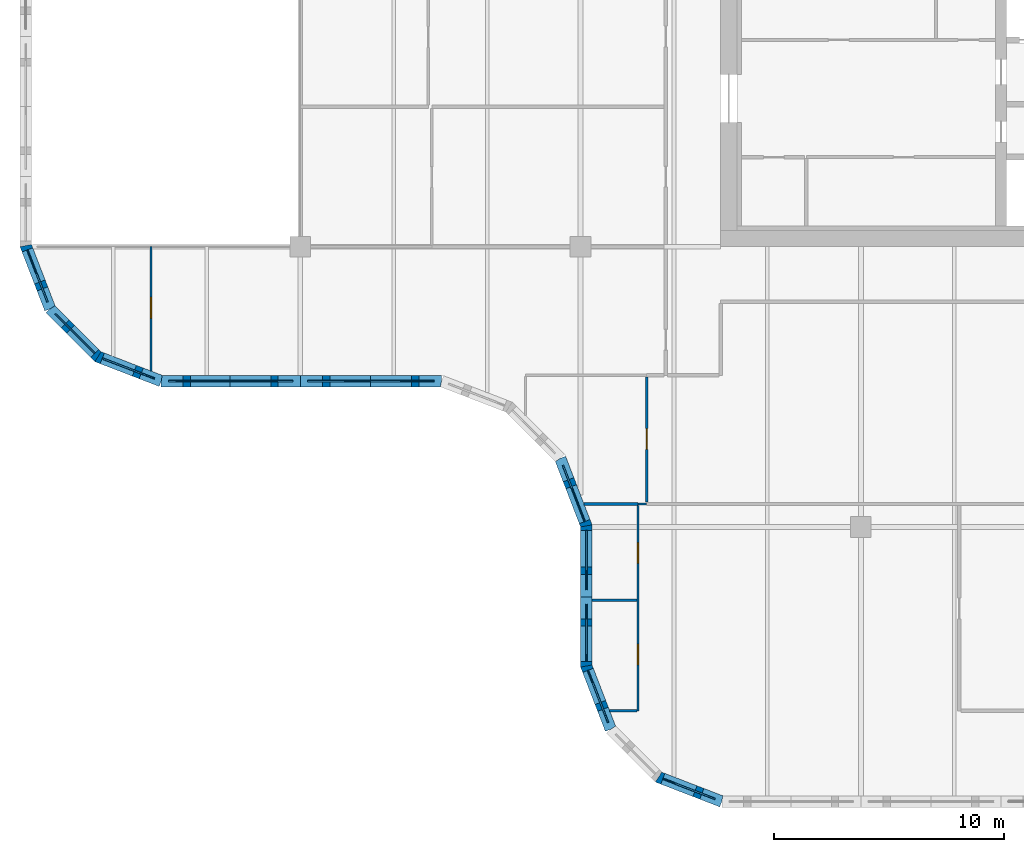
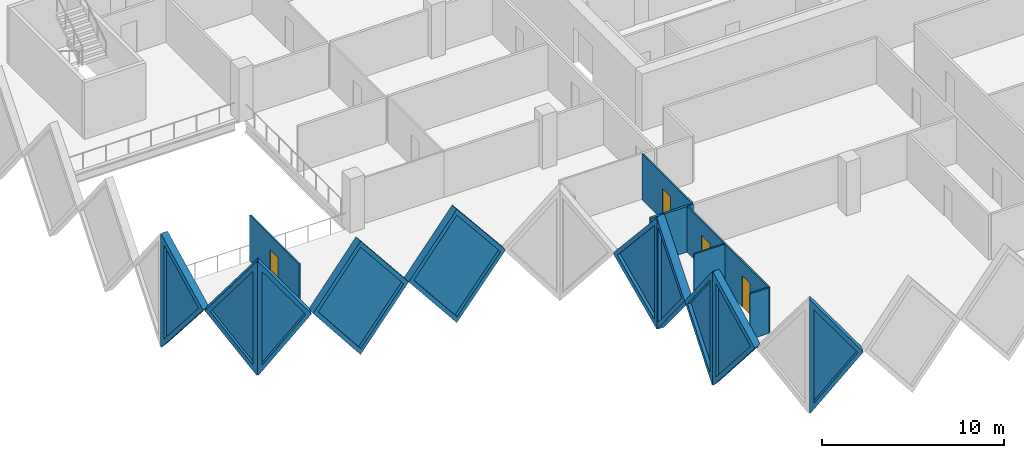
# One storey, part 3 of 13: 17 walls, 10 plates, 4 doors, 14 openings.
"""IFC4 building model written with IfcOpenShell, lengths in metres."""

from ifc_helpers import new_model, si_unit, direction, frame, frame_2d, origin, place, context, subcontext, project, spatial, polyline, rectangle, outline, extrude, faceted_brep, source, transform, mapped, material, layer, layer_set, type_object, element, fill, save


model = new_model("IFC4")

# Units and contexts
model_context = context("Model", 3, precision=1e-05, world=origin(), true_north=direction((0.0, 1.0)))
body_context = subcontext(model_context, "Body", "Model", "MODEL_VIEW")
ifc_project = project(units=[si_unit("LENGTHUNIT", "METRE"), si_unit("AREAUNIT", "SQUARE_METRE"), si_unit("VOLUMEUNIT", "CUBIC_METRE"), si_unit("PLANEANGLEUNIT", "RADIAN"), si_unit("MASSUNIT", "GRAM", prefix="KILO")], contexts=[model_context])

# Site, building, storey
site_placement = place(None, origin())
site = spatial("IfcSite", under=ifc_project, at=site_placement, CompositionType="ELEMENT")
building_placement = place(site_placement, origin())
building = spatial("IfcBuilding", under=site, at=building_placement, Name="Tessera Gate Towers", CompositionType="ELEMENT")
storey_placement = place(building_placement, frame((0.0, 0.0, 116.39990234375)))
storey = spatial("IfcBuildingStorey", under=building, at=storey_placement, Name="L28", CompositionType="ELEMENT", Elevation=116.39990234375)

# Wall
ifc_material_1 = material(Name="Glass", Category="glass")
ifc_layer_1 = layer(ifc_material_1, 0.10009765625)
ifc_layer_set_1 = layer_set([ifc_layer_1], Name="GLAZED PARTITION 100")
wall_type_1 = type_object("IfcWallType", Name="GLAZED PARTITION 100", PredefinedType="PARTITIONING", material=ifc_layer_set_1)
wall_1_placement = place(storey_placement, frame((26.90087890625, 13.199951171875, 0.0), z_axis=(0.0, 0.0, 1.0), x_axis=(1.0, 0.0, 0.0)))
element("IfcWall", 1, at=wall_1_placement, inside=storey, type_object=wall_type_1, Name="T1-L28-PW-013", PredefinedType="PARTITIONING", context=body_context, shape_type="SweptSolid", body=[
    extrude(rectangle(XDim=0.373046875, YDim=0.10009765625, at=frame_2d((0.1865234375, 0.0))), origin(), (0.0, 0.0, 1.0), 3.067138671875),
])

# Wall, opening, door
wall_2_placement = place(storey_placement, frame((27.27490234375, 13.27587890625, 0.0), z_axis=(0.0, 0.0, 1.0), x_axis=(0.0, 1.0, 0.0)))
wall_2 = element("IfcWall", 2, at=wall_2_placement, inside=storey, type_object=wall_type_1, Name="T1-L28-PW-015", PredefinedType="PARTITIONING", context=body_context, shape_type="SweptSolid", body=[
    extrude(rectangle(XDim=5.4482421875, YDim=0.10009765625, at=frame_2d((2.72412109375, 0.0))), origin(), (0.0, 0.0, 1.0), 3.067138671875),
])
shared_shape_1 = source(origin(), body_context, "Body", "SweptSolid", [
    extrude(rectangle(XDim=0.89990234375, YDim=2.10009765625, at=frame_2d((0.449951171875, 1.050048828125))), frame((0.0, 0.06005859375, 0.0), z_axis=(0.0, -1.0, 0.0), x_axis=(1.0, 0.0, 0.0)), (0.0, 0.0, 1.0), 0.1201171875),
])
opening_1_placement = place(wall_2_placement, frame((2.300048828125, 0.0, 0.0)))
opening_1 = element("IfcOpeningElement", 3, at=opening_1_placement, cuts=wall_2, Name="Opening D690-A10-02", PredefinedType="OPENING", context=body_context, shape_type="MappedRepresentation", body=[
    mapped(shared_shape_1, transform((0.0, 0.0, 0.0), scale=1.0)),
])
ifc_material_2 = material(Name="Glass in aluminium frame", Category="aluminium")
door_type_1 = type_object("IfcDoorType", Name="GLAZED DOOR 900 NOT RATED", OperationType="NOTDEFINED", PredefinedType="DOOR", material=ifc_material_2)
shared_shape_2 = source(origin(), body_context, "Body", "SweptSolid", [
    extrude(rectangle(XDim=0.89990234375, YDim=2.10009765625, at=frame_2d((0.449951171875, 1.050048828125))), frame((0.0, 0.02490234375, 0.0), z_axis=(0.0, -1.0, 0.0), x_axis=(1.0, 0.0, 0.0)), (0.0, 0.0, 1.0), 0.050048828125),
])
door_1_placement = place(opening_1_placement, origin())
door_1 = element("IfcDoor", 4, at=door_1_placement, inside=storey, type_object=door_type_1, Name="T1-L28-PD-009", OperationType="SINGLE_SWING_LEFT", OverallHeight=2.10009765625, OverallWidth=0.89990234375, PredefinedType="DOOR", context=body_context, shape_type="MappedRepresentation", body=[
    mapped(shared_shape_2, transform((0.0, 0.0, 0.0), scale=1.0)),
])
fill(opening_1, door_1)

wall_3_placement = place(storey_placement, frame((5.699951171875, 18.990234375, 0.0), z_axis=(0.0, 0.0, 1.0), x_axis=(0.0, 1.0, 0.0)))
wall_3 = element("IfcWall", 5, at=wall_3_placement, inside=storey, type_object=wall_type_1, Name="T1-L28-PW-024", PredefinedType="PARTITIONING", context=body_context, shape_type="SweptSolid", body=[
    extrude(rectangle(XDim=5.40966796875, YDim=0.10009765625, at=frame_2d((2.704833984375, 0.0))), origin(), (0.0, 0.0, 1.0), 3.067138671875),
])
opening_2_placement = place(wall_3_placement, frame((2.300048828125, 0.0, 0.0)))
opening_2 = element("IfcOpeningElement", 6, at=opening_2_placement, cuts=wall_3, Name="Opening D690-A10-01", PredefinedType="OPENING", context=body_context, shape_type="MappedRepresentation", body=[
    mapped(shared_shape_1, transform((0.0, 0.0, 0.0), scale=1.0)),
])
door_2_placement = place(opening_2_placement, origin())
door_2 = element("IfcDoor", 7, at=door_2_placement, inside=storey, type_object=door_type_1, Name="T1-L28-PD-008", OperationType="SINGLE_SWING_LEFT", OverallHeight=2.10009765625, OverallWidth=0.89990234375, PredefinedType="DOOR", context=body_context, shape_type="MappedRepresentation", body=[
    mapped(shared_shape_2, transform((0.0, 0.0, 0.0), scale=1.0)),
])
fill(opening_2, door_2)

# Wall
ifc_material_3 = material(Name="Gypsum board on steel studs", Category="steel")
ifc_layer_2 = layer(ifc_material_3, 0.10009765625)
ifc_layer_set_2 = layer_set([ifc_layer_2], Name="PARTITION 100")
wall_type_2 = type_object("IfcWallType", Name="PARTITION 100", PredefinedType="PARTITIONING", material=ifc_layer_set_2)
wall_4_placement = place(storey_placement, frame((25.668701171875, 4.199951171875, 0.0), z_axis=(0.0, 0.0, 1.0), x_axis=(1.0, 0.0, 0.0)))
element("IfcWall", 8, at=wall_4_placement, inside=storey, type_object=wall_type_2, Name="T1-L28-PW-003", PredefinedType="PARTITIONING", context=body_context, shape_type="SweptSolid", body=[
    extrude(rectangle(XDim=1.180419921875, YDim=0.10009765625, at=frame_2d((0.59033203125, 0.0))), origin(), (0.0, 0.0, 1.0), 3.067138671875),
])

# Wall, openings, doors
wall_5_placement = place(storey_placement, frame((26.89990234375, 4.199951171875, 0.0), z_axis=(0.0, 0.0, 1.0), x_axis=(0.0, 1.0, 0.0)))
wall_5 = element("IfcWall", 9, at=wall_5_placement, inside=storey, type_object=wall_type_2, Name="T1-L28-PW-004", PredefinedType="PARTITIONING", context=body_context, shape_type="SweptSolid", body=[
    extrude(rectangle(XDim=8.924072265625, YDim=0.10009765625, at=frame_2d((4.4619140625, 0.0))), origin(), (0.0, 0.0, 1.0), 3.067138671875),
])
opening_3_placement = place(wall_5_placement, frame((6.416015625, 0.0, 0.0)))
opening_3 = element("IfcOpeningElement", 10, at=opening_3_placement, cuts=wall_5, Name="Opening D190-A10-01", PredefinedType="OPENING", context=body_context, shape_type="MappedRepresentation", body=[
    mapped(shared_shape_1, transform((0.0, 0.0, 0.0), scale=1.0)),
])
opening_4_placement = place(wall_5_placement, frame((2.0, 0.0, 0.0)))
opening_4 = element("IfcOpeningElement", 11, at=opening_4_placement, cuts=wall_5, Name="Opening D190-A10-05", PredefinedType="OPENING", context=body_context, shape_type="MappedRepresentation", body=[
    mapped(shared_shape_1, transform((0.0, 0.0, 0.0), scale=1.0)),
])
ifc_material_4 = material(Name="Timber door leaf in steel frame", Category="steel")
door_type_2 = type_object("IfcDoorType", Name="INTERNAL DOOR 900 NOT RATED", OperationType="NOTDEFINED", PredefinedType="DOOR", material=ifc_material_4)
door_3_placement = place(opening_3_placement, origin())
door_3 = element("IfcDoor", 12, at=door_3_placement, inside=storey, type_object=door_type_2, Name="T1-L28-PD-002", OperationType="SINGLE_SWING_LEFT", OverallHeight=2.10009765625, OverallWidth=0.89990234375, PredefinedType="DOOR", context=body_context, shape_type="MappedRepresentation", body=[
    mapped(shared_shape_2, transform((0.0, 0.0, 0.0), scale=1.0)),
])
fill(opening_3, door_3)
door_4_placement = place(opening_4_placement, origin())
door_4 = element("IfcDoor", 13, at=door_4_placement, inside=storey, type_object=door_type_2, Name="T1-L28-PD-013", OperationType="SINGLE_SWING_LEFT", OverallHeight=2.10009765625, OverallWidth=0.89990234375, PredefinedType="DOOR", context=body_context, shape_type="MappedRepresentation", body=[
    mapped(shared_shape_2, transform((0.0, 0.0, 0.0), scale=1.0)),
])
fill(opening_4, door_4)

# Walls
wall_6_placement = place(storey_placement, frame((24.89990234375, 9.014892578125, 0.0), z_axis=(0.0, 0.0, 1.0), x_axis=(1.0, 0.0, 0.0)))
element("IfcWall", 14, at=wall_6_placement, inside=storey, type_object=wall_type_2, Name="T1-L28-PW-010", PredefinedType="PARTITIONING", context=body_context, shape_type="SweptSolid", body=[
    extrude(rectangle(XDim=1.94921875, YDim=0.10009765625, at=frame_2d((0.974609375, 0.0))), origin(), (0.0, 0.0, 1.0), 3.067138671875),
])
ifc_material_5 = material(Name="Gypsum board on steel studs, mineral wool", Category="steel")
ifc_layer_3 = layer(ifc_material_5, 0.14990234375)
ifc_layer_set_3 = layer_set([ifc_layer_3], Name="TENANCY WALL 150")
wall_type_3 = type_object("IfcWallType", Name="TENANCY WALL 150", PredefinedType="PARTITIONING", material=ifc_layer_set_3)
wall_7_placement = place(storey_placement, frame((24.55029296875, 13.199951171875, 0.0), z_axis=(0.0, 0.0, 1.0), x_axis=(1.0, 0.0, 0.0)))
element("IfcWall", 15, at=wall_7_placement, inside=storey, type_object=wall_type_3, Name="T1-L28-PW-012", PredefinedType="PARTITIONING", context=body_context, shape_type="SweptSolid", body=[
    extrude(rectangle(XDim=2.349609375, YDim=0.14990234375, at=frame_2d((1.1748046875, 0.0))), origin(), (0.0, 0.0, 1.0), 3.067138671875),
])

# Wall, opening, plate
ifc_material_6 = material(Name="Precast concrete C60/75 white", Category="concrete")
ifc_layer_4 = layer(ifc_material_6, 0.5)
ifc_layer_set_4 = layer_set([ifc_layer_4], Name="TS3 corner tessera")
wall_type_4 = type_object("IfcWallType", Name="TS3 corner tessera", PredefinedType="SOLIDWALL", material=ifc_layer_set_4)
shared_shape_3 = source(origin(), body_context, "Body", "Brep", [
    faceted_brep([(3.00341796875, -0.25, 0.0), (3.050048828125, -0.25, 0.06005859375), (3.050048828125, -0.25, 7.539794921875), (3.00341796875, -0.25, 7.599853515625), (0.0, -0.25, 3.7998046875), (0.0, 0.25, 3.7998046875), (2.956787109375, 0.25, 7.541015625), (2.956787109375, 0.25, 0.058837890625), (3.00341796875, 0.000244140625, 0.0), (3.00341796875, 0.000244140625, 7.599853515625)], [[[0, 1, 2, 3, 4]], [[5, 6, 7]], [[1, 0, 8]], [[9, 3, 2]], [[6, 5, 4, 3, 9]], [[5, 7, 8, 0, 4]], [[1, 8, 7, 6, 9, 2]]]),
])
wall_8_placement = place(storey_placement, frame((24.64990234375, 9.14990234375, -3.7998046875), z_axis=(0.0, 0.0, 1.0), x_axis=(0.0, -1.0, 0.0)))
wall_8 = element("IfcWall", 16, at=wall_8_placement, inside=storey, type_object=wall_type_4, Name="Precast corner tessera T1 TS3-0645", PredefinedType="SOLIDWALL", context=body_context, shape_type="MappedRepresentation", body=[
    mapped(shared_shape_3, transform((0.0, 0.0, 0.0), scale=1.0)),
])
shared_shape_4 = source(origin(), body_context, "Body", "SweptSolid", [
    extrude(outline(polyline([(2.803466796875, 6.943603515625), (0.318603515625, 3.7998046875), (2.803466796875, 0.656005859375), (2.803466796875, 6.943603515625)])), frame((0.0, 0.260009765625, 0.0), z_axis=(0.0, -1.0, 0.0), x_axis=(1.0, 0.0, 0.0)), (0.0, 0.0, 1.0), 0.52001953125),
])
opening_5_placement = place(wall_8_placement, origin())
opening_5 = element("IfcOpeningElement", 17, at=opening_5_placement, cuts=wall_8, Name="Opening T1-PL2-0936", PredefinedType="OPENING", context=body_context, shape_type="MappedRepresentation", body=[
    mapped(shared_shape_4, transform((0.0, 0.0, 0.0), scale=1.0)),
])
ifc_material_7 = material(Name="Low-e laminated glass", Category="glass")
ifc_layer_5 = layer(ifc_material_7, 0.06005859375)
ifc_layer_set_5 = layer_set([ifc_layer_5], Name="PL2 rhombic pane")
plate_type = type_object("IfcPlateType", Name="PL2 rhombic pane", PredefinedType="SHEET", material=ifc_layer_set_5)
shared_shape_5 = source(origin(), body_context, "Body", "SweptSolid", [
    extrude(outline(polyline([(2.803466796875, 6.943603515625), (0.318603515625, 3.7998046875), (2.803466796875, 0.656005859375), (2.803466796875, 6.943603515625)])), frame((0.0, 0.030029296875, 0.0), z_axis=(0.0, -1.0, 0.0), x_axis=(1.0, 0.0, 0.0)), (0.0, 0.0, 1.0), 0.06005859375),
])
plate_1_placement = place(opening_5_placement, origin())
plate_1 = element("IfcPlate", 18, at=plate_1_placement, inside=storey, type_object=plate_type, Name="Glass pane T1 PL2-0936", PredefinedType="SHEET", context=body_context, shape_type="MappedRepresentation", body=[
    mapped(shared_shape_5, transform((0.0, 0.0, 0.0), scale=1.0)),
])
fill(opening_5, plate_1)

shared_shape_6 = source(origin(), body_context, "Body", "Brep", [
    faceted_brep([(0.046630859375, -0.25, 0.0), (2.9970703125, -0.25, 3.7998046875), (0.046630859375, -0.25, 7.599853515625), (0.0, -0.25, 7.541015625), (0.0, -0.25, 0.058837890625), (0.09326171875, 0.25, 7.539794921875), (2.9443359375, 0.25, 3.867919921875), (2.9443359375, 0.25, 3.731689453125), (0.09326171875, 0.25, 0.06005859375), (2.9970703125, 0.00048828125, 3.7998046875), (0.046630859375, 0.0, 0.0), (0.046630859375, 0.0, 7.599853515625)], [[[0, 1, 2, 3, 4]], [[5, 6, 7, 8]], [[8, 7, 9, 1, 0, 10]], [[6, 5, 11, 2, 1, 9]], [[3, 2, 11]], [[10, 0, 4]], [[8, 10, 4, 3, 11, 5]], [[9, 7, 6]]]),
])
wall_9_placement = place(storey_placement, frame((0.233154296875, 24.489990234375, -3.7998046875), z_axis=(0.0, 0.0, 1.0), x_axis=(0.359901446078, -0.932990326376, 0.0)))
wall_9 = element("IfcWall", 19, at=wall_9_placement, inside=storey, type_object=wall_type_4, Name="Precast corner tessera T1 TS3-0638", PredefinedType="SOLIDWALL", context=body_context, shape_type="MappedRepresentation", body=[
    mapped(shared_shape_6, transform((0.0, 0.0, 0.0), scale=1.0)),
])
shared_shape_7 = source(origin(), body_context, "Body", "SweptSolid", [
    extrude(outline(polyline([(0.24658203125, 0.6650390625), (2.6806640625, 3.7998046875), (0.24658203125, 6.9345703125), (0.24658203125, 0.6650390625)])), frame((0.0, 0.260009765625, 0.0), z_axis=(0.0, -1.0, 0.0), x_axis=(1.0, 0.0, 0.0)), (0.0, 0.0, 1.0), 0.52001953125),
])
opening_6_placement = place(wall_9_placement, origin())
opening_6 = element("IfcOpeningElement", 20, at=opening_6_placement, cuts=wall_9, Name="Opening T1-PL2-0927", PredefinedType="OPENING", context=body_context, shape_type="MappedRepresentation", body=[
    mapped(shared_shape_7, transform((0.0, 0.0, 0.0), scale=1.0)),
])
shared_shape_8 = source(origin(), body_context, "Body", "SweptSolid", [
    extrude(outline(polyline([(0.24658203125, 0.6650390625), (2.6806640625, 3.7998046875), (0.24658203125, 6.9345703125), (0.24658203125, 0.6650390625)])), frame((0.0, 0.030029296875, 0.0), z_axis=(0.0, -1.0, 0.0), x_axis=(1.0, 0.0, 0.0)), (0.0, 0.0, 1.0), 0.06005859375),
])
plate_2_placement = place(opening_6_placement, origin())
plate_2 = element("IfcPlate", 21, at=plate_2_placement, inside=storey, type_object=plate_type, Name="Glass pane T1 PL2-0927", PredefinedType="SHEET", context=body_context, shape_type="MappedRepresentation", body=[
    mapped(shared_shape_8, transform((0.0, 0.0, 0.0), scale=1.0)),
])
fill(opening_6, plate_2)

wall_10_placement = place(storey_placement, frame((24.63330078125, 6.18994140625, -3.7998046875), z_axis=(0.0, 0.0, 1.0), x_axis=(0.359901446078, -0.932990326376, 0.0)))
wall_10 = element("IfcWall", 22, at=wall_10_placement, inside=storey, type_object=wall_type_4, Name="Precast corner tessera T1 TS3-0646", PredefinedType="SOLIDWALL", context=body_context, shape_type="MappedRepresentation", body=[
    mapped(shared_shape_6, transform((0.0, 0.0, 0.0), scale=1.0)),
])
opening_7_placement = place(wall_10_placement, origin())
opening_7 = element("IfcOpeningElement", 23, at=opening_7_placement, cuts=wall_10, Name="Opening T1-PL2-0937", PredefinedType="OPENING", context=body_context, shape_type="MappedRepresentation", body=[
    mapped(shared_shape_7, transform((0.0, 0.0, 0.0), scale=1.0)),
])
plate_3_placement = place(opening_7_placement, origin())
plate_3 = element("IfcPlate", 24, at=plate_3_placement, inside=storey, type_object=plate_type, Name="Glass pane T1 PL2-0937", PredefinedType="SHEET", context=body_context, shape_type="MappedRepresentation", body=[
    mapped(shared_shape_8, transform((0.0, 0.0, 0.0), scale=1.0)),
])
fill(opening_7, plate_3)

shared_shape_9 = source(origin(), body_context, "Body", "Brep", [
    faceted_brep([(2.944091796875, -0.25, 0.0), (2.9970703125, -0.25, 0.068115234375), (2.9970703125, -0.25, 7.53173828125), (2.944091796875, -0.25, 7.599853515625), (0.0, -0.25, 3.7998046875), (0.052978515625, 0.25, 3.8681640625), (2.89111328125, 0.25, 7.53173828125), (2.89111328125, 0.25, 0.068115234375), (0.052978515625, 0.25, 3.7314453125), (2.944091796875, 0.000244140625, 0.0), (2.944091796875, 0.000244140625, 7.599853515625), (0.0, 0.0, 3.7998046875)], [[[0, 1, 2, 3, 4]], [[5, 6, 7, 8]], [[1, 0, 9]], [[10, 3, 2]], [[6, 5, 11, 4, 3, 10]], [[8, 7, 9, 0, 4, 11]], [[8, 11, 5]], [[1, 9, 7, 6, 10, 2]]]),
])
wall_11_placement = place(storey_placement, frame((1.31201171875, 21.69384765625, -3.7998046875), z_axis=(0.0, 0.0, 1.0), x_axis=(0.707066050402, -0.707147509625, 0.0)))
wall_11 = element("IfcWall", 25, at=wall_11_placement, inside=storey, type_object=wall_type_4, Name="Precast corner tessera T1 TS3-0639", PredefinedType="SOLIDWALL", context=body_context, shape_type="MappedRepresentation", body=[
    mapped(shared_shape_9, transform((0.0, 0.0, 0.0), scale=1.0)),
])
shared_shape_10 = source(origin(), body_context, "Body", "SweptSolid", [
    extrude(outline(polyline([(2.744140625, 6.93359375), (0.316162109375, 3.7998046875), (2.744140625, 0.666259765625), (2.744140625, 6.93359375)])), frame((0.0, 0.260009765625, 0.0), z_axis=(0.0, -1.0, 0.0), x_axis=(1.0, 0.0, 0.0)), (0.0, 0.0, 1.0), 0.52001953125),
])
opening_8_placement = place(wall_11_placement, origin())
opening_8 = element("IfcOpeningElement", 26, at=opening_8_placement, cuts=wall_11, Name="Opening T1-PL2-0928", PredefinedType="OPENING", context=body_context, shape_type="MappedRepresentation", body=[
    mapped(shared_shape_10, transform((0.0, 0.0, 0.0), scale=1.0)),
])
shared_shape_11 = source(origin(), body_context, "Body", "SweptSolid", [
    extrude(outline(polyline([(2.744140625, 6.93359375), (0.316162109375, 3.7998046875), (2.744140625, 0.666259765625), (2.744140625, 6.93359375)])), frame((0.0, 0.030029296875, 0.0), z_axis=(0.0, -1.0, 0.0), x_axis=(1.0, 0.0, 0.0)), (0.0, 0.0, 1.0), 0.06005859375),
])
plate_4_placement = place(opening_8_placement, origin())
plate_4 = element("IfcPlate", 27, at=plate_4_placement, inside=storey, type_object=plate_type, Name="Glass pane T1 PL2-0928", PredefinedType="SHEET", context=body_context, shape_type="MappedRepresentation", body=[
    mapped(shared_shape_11, transform((0.0, 0.0, 0.0), scale=1.0)),
])
fill(opening_8, plate_4)

ifc_material_8 = material(Name="Precast concrete C60/75 white", Category="concrete")
ifc_layer_6 = layer(ifc_material_8, 0.5)
ifc_layer_set_6 = layer_set([ifc_layer_6], Name="TS1 tessera")
wall_type_5 = type_object("IfcWallType", Name="TS1 tessera", PredefinedType="SOLIDWALL", material=ifc_layer_set_6)
shared_shape_12 = source(origin(), body_context, "Body", "Brep", [
    faceted_brep([(3.00341796875, -0.25, 0.0), (6.053466796875, -0.25, 3.7998046875), (3.00341796875, -0.25, 7.599853515625), (0.0, -0.25, 3.7998046875), (0.046630859375, 0.25, 3.858642578125), (3.00341796875, 0.25, 7.599853515625), (6.053466796875, 0.25, 3.7998046875), (3.00341796875, 0.25, 0.0), (0.046630859375, 0.25, 3.740966796875), (0.0, 0.0, 3.7998046875)], [[[0, 1, 2, 3]], [[4, 5, 6, 7, 8]], [[7, 6, 1, 0]], [[6, 5, 2, 1]], [[5, 4, 9, 3, 2]], [[8, 7, 0, 3, 9]], [[8, 9, 4]]]),
])
wall_12_placement = place(storey_placement, frame((6.146484375, 18.550048828125, -3.7998046875), z_axis=(0.0, 0.0, 1.0), x_axis=(1.0, 0.0, 0.0)))
wall_12 = element("IfcWall", 28, at=wall_12_placement, inside=storey, type_object=wall_type_5, Name="Precast tessera T1 TS1-0458", PredefinedType="SOLIDWALL", context=body_context, shape_type="MappedRepresentation", body=[
    mapped(shared_shape_12, transform((0.0, 0.0, 0.0), scale=1.0)),
])
shared_shape_13 = source(origin(), body_context, "Body", "SweptSolid", [
    extrude(outline(polyline([(3.0048828125, 0.401123046875), (5.73291015625, 3.7998046875), (3.0048828125, 7.19873046875), (0.318603515625, 3.7998046875), (3.0048828125, 0.401123046875)])), frame((0.0, 0.260009765625, 0.0), z_axis=(0.0, -1.0, 0.0), x_axis=(1.0, 0.0, 0.0)), (0.0, 0.0, 1.0), 0.52001953125),
])
opening_9_placement = place(wall_12_placement, origin())
opening_9 = element("IfcOpeningElement", 29, at=opening_9_placement, cuts=wall_12, Name="Opening T1-PL2-0930", PredefinedType="OPENING", context=body_context, shape_type="MappedRepresentation", body=[
    mapped(shared_shape_13, transform((0.0, 0.0, 0.0), scale=1.0)),
])
shared_shape_14 = source(origin(), body_context, "Body", "SweptSolid", [
    extrude(outline(polyline([(3.0048828125, 0.401123046875), (5.73291015625, 3.7998046875), (3.0048828125, 7.19873046875), (0.318603515625, 3.7998046875), (3.0048828125, 0.401123046875)])), frame((0.0, 0.030029296875, 0.0), z_axis=(0.0, -1.0, 0.0), x_axis=(1.0, 0.0, 0.0)), (0.0, 0.0, 1.0), 0.06005859375),
])
plate_5_placement = place(opening_9_placement, origin())
plate_5 = element("IfcPlate", 30, at=plate_5_placement, inside=storey, type_object=plate_type, Name="Glass pane T1 PL2-0930", PredefinedType="SHEET", context=body_context, shape_type="MappedRepresentation", body=[
    mapped(shared_shape_14, transform((0.0, 0.0, 0.0), scale=1.0)),
])
fill(opening_9, plate_5)

shared_shape_15 = source(origin(), body_context, "Body", "Brep", [
    faceted_brep([(0.052978515625, -0.25, 0.0), (3.00341796875, -0.25, 3.7998046875), (0.052978515625, -0.25, 7.599853515625), (0.0, -0.25, 7.531494140625), (0.0, -0.25, 0.068359375), (0.10595703125, 0.25, 7.53173828125), (2.95703125, 0.25, 3.859619140625), (2.95703125, 0.25, 3.739990234375), (0.10595703125, 0.25, 0.068115234375), (3.00341796875, 0.00048828125, 3.7998046875), (0.052978515625, 0.0, 0.0), (0.052978515625, 0.0, 7.599853515625)], [[[0, 1, 2, 3, 4]], [[5, 6, 7, 8]], [[8, 7, 9, 1, 0, 10]], [[6, 5, 11, 2, 1, 9]], [[3, 2, 11]], [[10, 0, 4]], [[8, 10, 4, 3, 11, 5]], [[9, 7, 6]]]),
])
wall_13_placement = place(storey_placement, frame((3.34423828125, 19.630859375, -3.7998046875), z_axis=(0.0, 0.0, 1.0), x_axis=(0.933007896601, -0.359855894603, 0.0)))
wall_13 = element("IfcWall", 31, at=wall_13_placement, inside=storey, type_object=wall_type_4, Name="Precast corner tessera T1 TS3-0640", PredefinedType="SOLIDWALL", context=body_context, shape_type="MappedRepresentation", body=[
    mapped(shared_shape_15, transform((0.0, 0.0, 0.0), scale=1.0)),
])
shared_shape_16 = source(origin(), body_context, "Body", "SweptSolid", [
    extrude(outline(polyline([(0.2529296875, 0.6650390625), (2.68701171875, 3.7998046875), (0.2529296875, 6.9345703125), (0.2529296875, 0.6650390625)])), frame((0.0, 0.260009765625, 0.0), z_axis=(0.0, -1.0, 0.0), x_axis=(1.0, 0.0, 0.0)), (0.0, 0.0, 1.0), 0.52001953125),
])
opening_10_placement = place(wall_13_placement, origin())
opening_10 = element("IfcOpeningElement", 32, at=opening_10_placement, cuts=wall_13, Name="Opening T1-PL2-0929", PredefinedType="OPENING", context=body_context, shape_type="MappedRepresentation", body=[
    mapped(shared_shape_16, transform((0.0, 0.0, 0.0), scale=1.0)),
])
shared_shape_17 = source(origin(), body_context, "Body", "SweptSolid", [
    extrude(outline(polyline([(0.2529296875, 0.6650390625), (2.68701171875, 3.7998046875), (0.2529296875, 6.9345703125), (0.2529296875, 0.6650390625)])), frame((0.0, 0.030029296875, 0.0), z_axis=(0.0, -1.0, 0.0), x_axis=(1.0, 0.0, 0.0)), (0.0, 0.0, 1.0), 0.06005859375),
])
plate_6_placement = place(opening_10_placement, origin())
plate_6 = element("IfcPlate", 33, at=plate_6_placement, inside=storey, type_object=plate_type, Name="Glass pane T1 PL2-0929", PredefinedType="SHEET", context=body_context, shape_type="MappedRepresentation", body=[
    mapped(shared_shape_17, transform((0.0, 0.0, 0.0), scale=1.0)),
])
fill(opening_10, plate_6)

wall_14_placement = place(storey_placement, frame((27.744384765625, 1.3310546875, -3.7998046875), z_axis=(0.0, 0.0, 1.0), x_axis=(0.932970071518, -0.359953949349, 0.0)))
wall_14 = element("IfcWall", 34, at=wall_14_placement, inside=storey, type_object=wall_type_4, Name="Precast corner tessera T1 TS3-0648", PredefinedType="SOLIDWALL", context=body_context, shape_type="MappedRepresentation", body=[
    mapped(shared_shape_15, transform((0.0, 0.0, 0.0), scale=1.0)),
])
opening_11_placement = place(wall_14_placement, origin())
opening_11 = element("IfcOpeningElement", 35, at=opening_11_placement, cuts=wall_14, Name="Opening T1-PL2-0939", PredefinedType="OPENING", context=body_context, shape_type="MappedRepresentation", body=[
    mapped(shared_shape_16, transform((0.0, 0.0, 0.0), scale=1.0)),
])
plate_7_placement = place(opening_11_placement, origin())
plate_7 = element("IfcPlate", 36, at=plate_7_placement, inside=storey, type_object=plate_type, Name="Glass pane T1 PL2-0939", PredefinedType="SHEET", context=body_context, shape_type="MappedRepresentation", body=[
    mapped(shared_shape_17, transform((0.0, 0.0, 0.0), scale=1.0)),
])
fill(opening_11, plate_7)

shared_shape_18 = source(origin(), body_context, "Body", "Brep", [
    faceted_brep([(3.050048828125, -0.25, 0.0), (6.10009765625, -0.25, 3.74267578125), (6.10009765625, -0.25, 3.85693359375), (3.050048828125, -0.25, 7.599853515625), (0.0, -0.25, 3.7998046875), (0.0, 0.25, 3.7998046875), (3.050048828125, 0.25, 7.599853515625), (6.146484375, 0.25, 3.7998046875), (3.050048828125, 0.25, 0.0), (6.146484375, -0.000244140625, 3.7998046875)], [[[0, 1, 2, 3, 4]], [[5, 6, 7, 8]], [[8, 7, 9, 1, 0]], [[7, 6, 3, 2, 9]], [[6, 5, 4, 3]], [[5, 8, 0, 4]], [[1, 9, 2]]]),
])
wall_15_placement = place(storey_placement, frame((12.199951171875, 18.550048828125, -3.7998046875), z_axis=(0.0, 0.0, 1.0), x_axis=(1.0, 0.0, 0.0)))
wall_15 = element("IfcWall", 37, at=wall_15_placement, inside=storey, type_object=wall_type_5, Name="Precast tessera T1 TS1-0459", PredefinedType="SOLIDWALL", context=body_context, shape_type="MappedRepresentation", body=[
    mapped(shared_shape_18, transform((0.0, 0.0, 0.0), scale=1.0)),
])
shared_shape_19 = source(origin(), body_context, "Body", "SweptSolid", [
    extrude(outline(polyline([(3.051513671875, 0.3974609375), (5.823974609375, 3.7998046875), (3.051513671875, 7.202392578125), (0.320556640625, 3.7998046875), (3.051513671875, 0.3974609375)])), frame((0.0, 0.260009765625, 0.0), z_axis=(0.0, -1.0, 0.0), x_axis=(1.0, 0.0, 0.0)), (0.0, 0.0, 1.0), 0.52001953125),
])
opening_12_placement = place(wall_15_placement, origin())
opening_12 = element("IfcOpeningElement", 38, at=opening_12_placement, cuts=wall_15, Name="Opening T1-PL2-0931", PredefinedType="OPENING", context=body_context, shape_type="MappedRepresentation", body=[
    mapped(shared_shape_19, transform((0.0, 0.0, 0.0), scale=1.0)),
])
shared_shape_20 = source(origin(), body_context, "Body", "SweptSolid", [
    extrude(outline(polyline([(3.051513671875, 0.3974609375), (5.823974609375, 3.7998046875), (3.051513671875, 7.202392578125), (0.320556640625, 3.7998046875), (3.051513671875, 0.3974609375)])), frame((0.0, 0.030029296875, 0.0), z_axis=(0.0, -1.0, 0.0), x_axis=(1.0, 0.0, 0.0)), (0.0, 0.0, 1.0), 0.06005859375),
])
plate_8_placement = place(opening_12_placement, origin())
plate_8 = element("IfcPlate", 39, at=plate_8_placement, inside=storey, type_object=plate_type, Name="Glass pane T1 PL2-0931", PredefinedType="SHEET", context=body_context, shape_type="MappedRepresentation", body=[
    mapped(shared_shape_20, transform((0.0, 0.0, 0.0), scale=1.0)),
])
fill(opening_12, plate_8)

shared_shape_21 = source(origin(), body_context, "Body", "Brep", [
    faceted_brep([(3.10302734375, -0.25, 7.543701171875), (0.052978515625, -0.25, 3.86376953125), (0.052978515625, -0.25, 3.73583984375), (3.10302734375, -0.25, 0.05615234375), (0.0, 0.25, 3.7998046875), (3.1494140625, 0.25, 7.599853515625), (3.196044921875, 0.25, 7.542724609375), (3.196044921875, 0.25, 0.05712890625), (3.1494140625, 0.25, 0.0), (3.1494140625, -0.000244140625, 0.0), (3.1494140625, -0.000244140625, 7.599853515625), (0.0, 0.0, 3.7998046875)], [[[0, 1, 2, 3]], [[4, 5, 6, 7, 8]], [[8, 7, 9]], [[6, 5, 10]], [[5, 4, 11, 1, 0, 10]], [[4, 8, 9, 3, 2, 11]], [[11, 2, 1]], [[3, 9, 7, 6, 10, 0]]]),
])
wall_16_placement = place(storey_placement, frame((23.5166015625, 15.18505859375, -3.7998046875), z_axis=(0.0, 0.0, 1.0), x_axis=(0.359864468756, -0.933004589553, 0.0)))
wall_16 = element("IfcWall", 40, at=wall_16_placement, inside=storey, type_object=wall_type_4, Name="Precast corner tessera T1 TS3-0643", PredefinedType="SOLIDWALL", context=body_context, shape_type="MappedRepresentation", body=[
    mapped(shared_shape_21, transform((0.0, 0.0, 0.0), scale=1.0)),
])
shared_shape_22 = source(origin(), body_context, "Body", "SweptSolid", [
    extrude(outline(polyline([(2.949462890625, 6.966796875), (0.32470703125, 3.7998046875), (2.949462890625, 0.633056640625), (2.949462890625, 6.966796875)])), frame((0.0, 0.260009765625, 0.0), z_axis=(0.0, -1.0, 0.0), x_axis=(1.0, 0.0, 0.0)), (0.0, 0.0, 1.0), 0.52001953125),
])
opening_13_placement = place(wall_16_placement, origin())
opening_13 = element("IfcOpeningElement", 41, at=opening_13_placement, cuts=wall_16, Name="Opening T1-PL2-0934", PredefinedType="OPENING", context=body_context, shape_type="MappedRepresentation", body=[
    mapped(shared_shape_22, transform((0.0, 0.0, 0.0), scale=1.0)),
])
shared_shape_23 = source(origin(), body_context, "Body", "SweptSolid", [
    extrude(outline(polyline([(2.949462890625, 6.966796875), (0.32470703125, 3.7998046875), (2.949462890625, 0.633056640625), (2.949462890625, 6.966796875)])), frame((0.0, 0.030029296875, 0.0), z_axis=(0.0, -1.0, 0.0), x_axis=(1.0, 0.0, 0.0)), (0.0, 0.0, 1.0), 0.06005859375),
])
plate_9_placement = place(opening_13_placement, origin())
plate_9 = element("IfcPlate", 42, at=plate_9_placement, inside=storey, type_object=plate_type, Name="Glass pane T1 PL2-0934", PredefinedType="SHEET", context=body_context, shape_type="MappedRepresentation", body=[
    mapped(shared_shape_23, transform((0.0, 0.0, 0.0), scale=1.0)),
])
fill(opening_13, plate_9)

shared_shape_24 = source(origin(), body_context, "Body", "Brep", [
    faceted_brep([(0.09326171875, -0.25, 0.05712890625), (3.14306640625, -0.25, 3.7998046875), (0.09326171875, -0.25, 7.542724609375), (0.0, 0.25, 7.543701171875), (0.046630859375, 0.25, 7.599853515625), (3.14306640625, 0.25, 3.7998046875), (0.046630859375, 0.25, 0.0), (0.0, 0.25, 0.05615234375), (0.046630859375, 0.0, 0.0), (0.046630859375, 0.0, 7.599853515625)], [[[0, 1, 2]], [[3, 4, 5, 6, 7]], [[6, 5, 1, 0, 8]], [[5, 4, 9, 2, 1]], [[4, 3, 9]], [[7, 6, 8]], [[7, 8, 0, 2, 9, 3]]]),
])
wall_17_placement = place(storey_placement, frame((24.64990234375, 12.293212890625, -3.7998046875), z_axis=(0.0, 0.0, 1.0), x_axis=(0.0, -1.0, 0.0)))
wall_17 = element("IfcWall", 43, at=wall_17_placement, inside=storey, type_object=wall_type_4, Name="Precast corner tessera T1 TS3-0644", PredefinedType="SOLIDWALL", context=body_context, shape_type="MappedRepresentation", body=[
    mapped(shared_shape_24, transform((0.0, 0.0, 0.0), scale=1.0)),
])
shared_shape_25 = source(origin(), body_context, "Body", "SweptSolid", [
    extrude(outline(polyline([(0.24658203125, 0.64111328125), (2.82080078125, 3.7998046875), (0.24658203125, 6.958740234375), (0.24658203125, 0.64111328125)])), frame((0.0, 0.260009765625, 0.0), z_axis=(0.0, -1.0, 0.0), x_axis=(1.0, 0.0, 0.0)), (0.0, 0.0, 1.0), 0.52001953125),
])
opening_14_placement = place(wall_17_placement, origin())
opening_14 = element("IfcOpeningElement", 44, at=opening_14_placement, cuts=wall_17, Name="Opening T1-PL2-0935", PredefinedType="OPENING", context=body_context, shape_type="MappedRepresentation", body=[
    mapped(shared_shape_25, transform((0.0, 0.0, 0.0), scale=1.0)),
])
shared_shape_26 = source(origin(), body_context, "Body", "SweptSolid", [
    extrude(outline(polyline([(0.24658203125, 0.64111328125), (2.82080078125, 3.7998046875), (0.24658203125, 6.958740234375), (0.24658203125, 0.64111328125)])), frame((0.0, 0.030029296875, 0.0), z_axis=(0.0, -1.0, 0.0), x_axis=(1.0, 0.0, 0.0)), (0.0, 0.0, 1.0), 0.06005859375),
])
plate_10_placement = place(opening_14_placement, origin())
plate_10 = element("IfcPlate", 45, at=plate_10_placement, inside=storey, type_object=plate_type, Name="Glass pane T1 PL2-0935", PredefinedType="SHEET", context=body_context, shape_type="MappedRepresentation", body=[
    mapped(shared_shape_26, transform((0.0, 0.0, 0.0), scale=1.0)),
])
fill(opening_14, plate_10)

save(model, "model.ifc")
